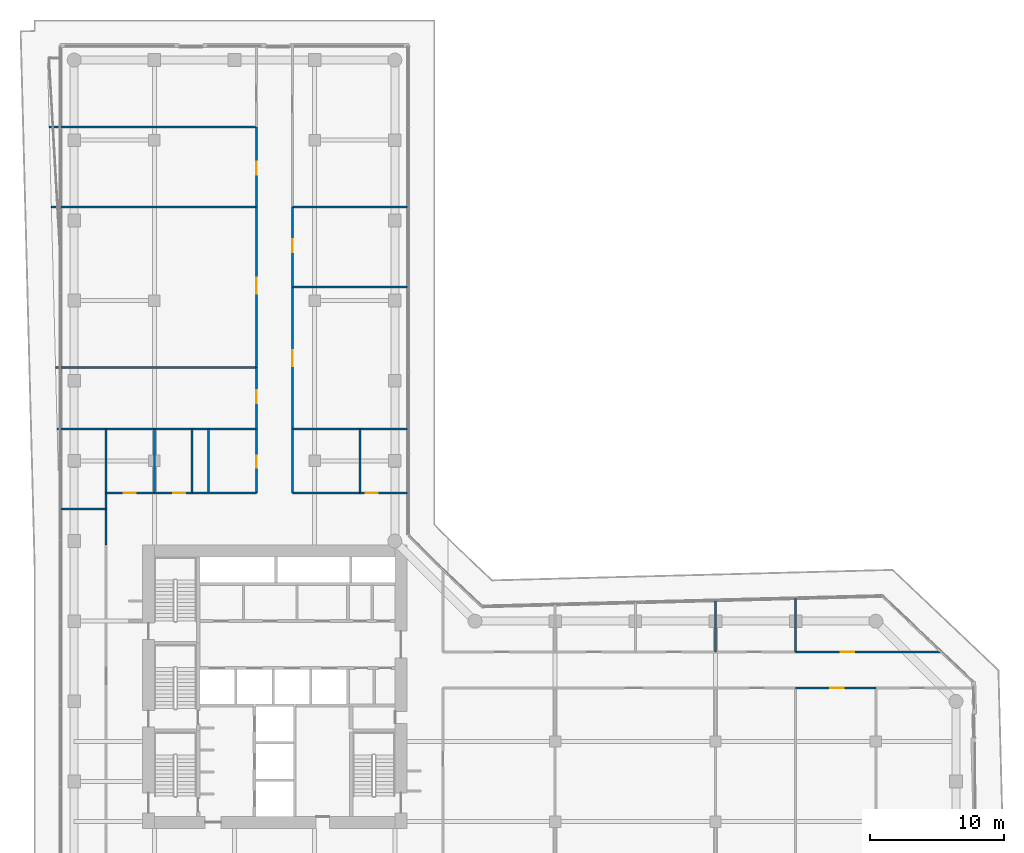
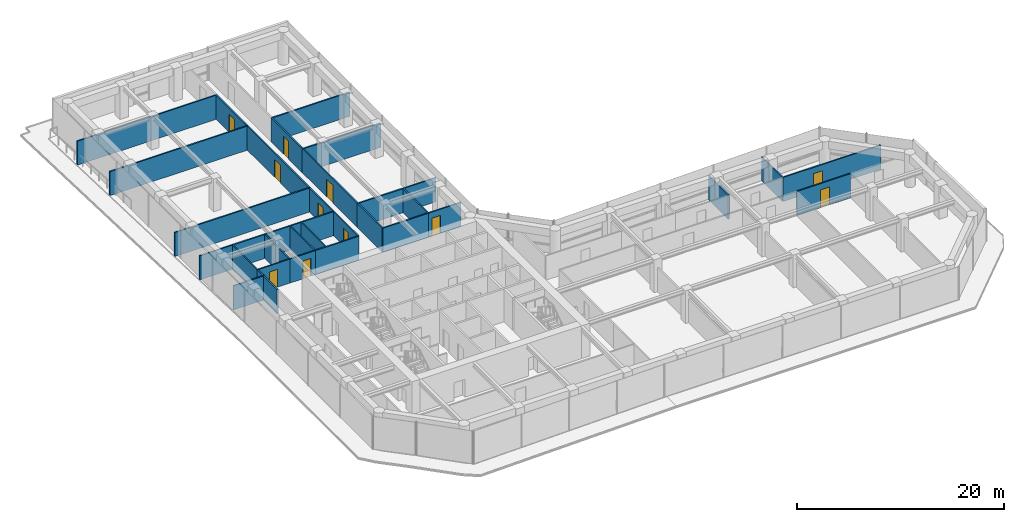
# One storey, part 25 of 29: 30 walls, 11 doors, 11 openings.
"""IFC4 building model written with IfcOpenShell, lengths in metres."""

from ifc_helpers import new_model, si_unit, direction, frame, frame_2d, origin, place, context, subcontext, project, spatial, rectangle, extrude, material, layer, layer_set, type_object, element, fill, save


model = new_model("IFC4")

# Units and contexts
model_context = context("Model", 3, precision=1e-05, world=origin(), true_north=direction((0.0, 1.0)))
body_context = subcontext(model_context, "Body", "Model", "MODEL_VIEW")
ifc_project = project(units=[si_unit("LENGTHUNIT", "METRE"), si_unit("AREAUNIT", "SQUARE_METRE"), si_unit("VOLUMEUNIT", "CUBIC_METRE"), si_unit("PLANEANGLEUNIT", "RADIAN"), si_unit("MASSUNIT", "GRAM", prefix="KILO")], contexts=[model_context])

# Site, building, storey
site_placement = place(None, origin())
site = spatial("IfcSite", under=ifc_project, at=site_placement, CompositionType="ELEMENT")
building_placement = place(site_placement, origin())
building = spatial("IfcBuilding", under=site, at=building_placement, Name="Welwitschia Terrace Campus", CompositionType="ELEMENT")
storey_placement = place(building_placement, frame((0.0, 0.0, 58.39990234375)))
storey = spatial("IfcBuildingStorey", under=building, at=storey_placement, Name="L13", CompositionType="ELEMENT", Elevation=58.39990234375)

# Walls
ifc_material_1 = material(Name="Gypsum board on steel studs", Category="steel")
ifc_layer = layer(ifc_material_1, 0.14990234375)
ifc_layer_set = layer_set([ifc_layer], Name="Gypsum board on steel studs")
wall_type = type_object("IfcWallType", Name="Corridor partition 150 EI 30", PredefinedType="PARTITIONING", material=ifc_layer_set)
wall_1_placement = place(storey_placement, frame((-1.8701171875, 57.0, 0.0), z_axis=(0.0, 0.0, 1.0), x_axis=(1.0, 0.0, 0.0)))
element("IfcWall", 1, at=wall_1_placement, inside=storey, type_object=wall_type, Name="Partition", PredefinedType="PARTITIONING", context=body_context, shape_type="SweptSolid", body=[
    extrude(rectangle(XDim=15.52001953125, YDim=0.14990234375, at=frame_2d((7.760009765625, 0.0))), origin(), (0.0, 0.0, 1.0), 2.830078125),
])
wall_2_placement = place(storey_placement, frame((-1.719970703125, 51.0, 0.0), z_axis=(0.0, 0.0, 1.0), x_axis=(1.0, 0.0, 0.0)))
element("IfcWall", 2, at=wall_2_placement, inside=storey, type_object=wall_type, Name="Partition", PredefinedType="PARTITIONING", context=body_context, shape_type="SweptSolid", body=[
    extrude(rectangle(XDim=15.369873046875, YDim=0.14990234375, at=frame_2d((7.68505859375, 0.0))), origin(), (0.0, 0.0, 1.0), 2.830078125),
])
wall_3_placement = place(storey_placement, frame((-1.39990234375, 39.0, 0.0), z_axis=(0.0, 0.0, 1.0), x_axis=(1.0, 0.0, 0.0)))
element("IfcWall", 3, at=wall_3_placement, inside=storey, type_object=wall_type, Name="Partition", PredefinedType="PARTITIONING", context=body_context, shape_type="SweptSolid", body=[
    extrude(rectangle(XDim=15.0498046875, YDim=0.14990234375, at=frame_2d((7.52490234375, 0.0))), origin(), (0.0, 0.0, 1.0), 2.830078125),
])
wall_4_placement = place(storey_placement, frame((-1.280029296875, 34.39990234375, 0.0), z_axis=(0.0, 0.0, 1.0), x_axis=(1.0, 0.0, 0.0)))
element("IfcWall", 4, at=wall_4_placement, inside=storey, type_object=wall_type, Name="Partition", PredefinedType="PARTITIONING", context=body_context, shape_type="SweptSolid", body=[
    extrude(rectangle(XDim=14.929931640625, YDim=0.14990234375, at=frame_2d((7.46484375, 0.0))), origin(), (0.0, 0.0, 1.0), 2.830078125),
])
wall_5_placement = place(storey_placement, frame((-0.998046875, 28.39990234375, 0.0), z_axis=(0.0, 0.0, 1.0), x_axis=(1.0, 0.0, 0.0)))
element("IfcWall", 5, at=wall_5_placement, inside=storey, type_object=wall_type, Name="Partition", PredefinedType="PARTITIONING", context=body_context, shape_type="SweptSolid", body=[
    extrude(rectangle(XDim=3.39794921875, YDim=0.14990234375, at=frame_2d((1.698974609375, 0.0))), origin(), (0.0, 0.0, 1.0), 2.830078125),
])
wall_6_placement = place(storey_placement, frame((2.39990234375, 25.699951171875, 0.0), z_axis=(0.0, 0.0, 1.0), x_axis=(0.0, 1.0, 0.0)))
element("IfcWall", 6, at=wall_6_placement, inside=storey, type_object=wall_type, Name="Partition", PredefinedType="PARTITIONING", context=body_context, shape_type="SweptSolid", body=[
    extrude(rectangle(XDim=3.900146484375, YDim=0.14990234375, at=frame_2d((1.9501953125, 0.0))), origin(), (0.0, 0.0, 1.0), 2.830078125),
])
wall_7_placement = place(storey_placement, frame((2.39990234375, 29.60009765625, 0.0), z_axis=(0.0, 0.0, 1.0), x_axis=(0.0, 1.0, 0.0)))
element("IfcWall", 7, at=wall_7_placement, inside=storey, type_object=wall_type, Name="Partition", PredefinedType="PARTITIONING", context=body_context, shape_type="SweptSolid", body=[
    extrude(rectangle(XDim=4.7998046875, YDim=0.14990234375, at=frame_2d((2.39990234375, 0.0))), origin(), (0.0, 0.0, 1.0), 2.830078125),
])

# Wall, opening, door
wall_8_placement = place(storey_placement, frame((2.39990234375, 29.60009765625, 0.0), z_axis=(0.0, 0.0, 1.0), x_axis=(1.0, 0.0, 0.0)))
wall_8 = element("IfcWall", 8, at=wall_8_placement, inside=storey, type_object=wall_type, Name="Partition", PredefinedType="PARTITIONING", context=body_context, shape_type="SweptSolid", body=[
    extrude(rectangle(XDim=3.60009765625, YDim=0.14990234375, at=frame_2d((1.800048828125, 0.0))), origin(), (0.0, 0.0, 1.0), 2.830078125),
])
opening_1_placement = place(wall_8_placement, frame((1.300048828125, 0.0, 0.0)))
opening_1 = element("IfcOpeningElement", 9, at=opening_1_placement, cuts=wall_8, Name="Opening DI09", PredefinedType="OPENING", context=body_context, shape_type="SweptSolid", body=[
    extrude(rectangle(XDim=0.89990234375, YDim=2.10009765625, at=frame_2d((0.449951171875, 1.050048828125))), frame((0.0, 0.0849609375, 0.0), z_axis=(0.0, -1.0, 0.0), x_axis=(1.0, 0.0, 0.0)), (0.0, 0.0, 1.0), 0.169921875),
])
ifc_material_2 = material(Name="Timber veneered door", Category="wood")
door_type_1 = type_object("IfcDoorType", Name="Interior door DI09", OperationType="NOTDEFINED", PredefinedType="DOOR", material=ifc_material_2)
door_1_placement = place(opening_1_placement, origin())
door_1 = element("IfcDoor", 10, at=door_1_placement, inside=storey, type_object=door_type_1, Name="Door L13 291", OperationType="SINGLE_SWING_RIGHT", OverallHeight=2.10009765625, OverallWidth=0.89990234375, PredefinedType="DOOR", context=body_context, shape_type="SweptSolid", body=[
    extrude(rectangle(XDim=0.89990234375, YDim=2.10009765625, at=frame_2d((0.449951171875, 1.050048828125))), frame((0.0, 0.02490234375, 0.0), z_axis=(0.0, -1.0, 0.0), x_axis=(1.0, 0.0, 0.0)), (0.0, 0.0, 1.0), 0.050048828125),
])
fill(opening_1, door_1)

# Wall
wall_9_placement = place(storey_placement, frame((6.0, 29.60009765625, 0.0), z_axis=(0.0, 0.0, 1.0), x_axis=(0.0, 1.0, 0.0)))
element("IfcWall", 11, at=wall_9_placement, inside=storey, type_object=wall_type, Name="Partition", PredefinedType="PARTITIONING", context=body_context, shape_type="SweptSolid", body=[
    extrude(rectangle(XDim=4.7998046875, YDim=0.14990234375, at=frame_2d((2.39990234375, 0.0))), origin(), (0.0, 0.0, 1.0), 2.830078125),
])

# Wall, opening, door
wall_10_placement = place(storey_placement, frame((6.0, 29.60009765625, 0.0), z_axis=(0.0, 0.0, 1.0), x_axis=(1.0, 0.0, 0.0)))
wall_10 = element("IfcWall", 12, at=wall_10_placement, inside=storey, type_object=wall_type, Name="Partition", PredefinedType="PARTITIONING", context=body_context, shape_type="SweptSolid", body=[
    extrude(rectangle(XDim=2.800048828125, YDim=0.14990234375, at=frame_2d((1.39990234375, 0.0))), origin(), (0.0, 0.0, 1.0), 2.830078125),
])
opening_2_placement = place(wall_10_placement, frame((1.39990234375, 0.0, 0.0)))
opening_2 = element("IfcOpeningElement", 13, at=opening_2_placement, cuts=wall_10, Name="Opening DI09", PredefinedType="OPENING", context=body_context, shape_type="SweptSolid", body=[
    extrude(rectangle(XDim=0.89990234375, YDim=2.10009765625, at=frame_2d((0.449951171875, 1.050048828125))), frame((0.0, 0.0849609375, 0.0), z_axis=(0.0, -1.0, 0.0), x_axis=(1.0, 0.0, 0.0)), (0.0, 0.0, 1.0), 0.169921875),
])
door_2_placement = place(opening_2_placement, origin())
door_2 = element("IfcDoor", 14, at=door_2_placement, inside=storey, type_object=door_type_1, Name="Door L13 292", OperationType="SINGLE_SWING_LEFT", OverallHeight=2.10009765625, OverallWidth=0.89990234375, PredefinedType="DOOR", context=body_context, shape_type="SweptSolid", body=[
    extrude(rectangle(XDim=0.89990234375, YDim=2.10009765625, at=frame_2d((0.449951171875, 1.050048828125))), frame((0.0, 0.02490234375, 0.0), z_axis=(0.0, -1.0, 0.0), x_axis=(1.0, 0.0, 0.0)), (0.0, 0.0, 1.0), 0.050048828125),
])
fill(opening_2, door_2)

# Walls
wall_11_placement = place(storey_placement, frame((8.800048828125, 29.60009765625, 0.0), z_axis=(0.0, 0.0, 1.0), x_axis=(0.0, 1.0, 0.0)))
element("IfcWall", 15, at=wall_11_placement, inside=storey, type_object=wall_type, Name="Partition", PredefinedType="PARTITIONING", context=body_context, shape_type="SweptSolid", body=[
    extrude(rectangle(XDim=4.7998046875, YDim=0.14990234375, at=frame_2d((2.39990234375, 0.0))), origin(), (0.0, 0.0, 1.0), 2.830078125),
])
wall_12_placement = place(storey_placement, frame((8.800048828125, 29.60009765625, 0.0), z_axis=(0.0, 0.0, 1.0), x_axis=(1.0, 0.0, 0.0)))
element("IfcWall", 16, at=wall_12_placement, inside=storey, type_object=wall_type, Name="Partition", PredefinedType="PARTITIONING", context=body_context, shape_type="SweptSolid", body=[
    extrude(rectangle(XDim=4.849853515625, YDim=0.14990234375, at=frame_2d((2.4248046875, 0.0))), origin(), (0.0, 0.0, 1.0), 2.830078125),
])
wall_13_placement = place(storey_placement, frame((10.050048828125, 29.60009765625, 0.0), z_axis=(0.0, 0.0, 1.0), x_axis=(0.0, 1.0, 0.0)))
element("IfcWall", 17, at=wall_13_placement, inside=storey, type_object=wall_type, Name="Partition", PredefinedType="PARTITIONING", context=body_context, shape_type="SweptSolid", body=[
    extrude(rectangle(XDim=4.7998046875, YDim=0.14990234375, at=frame_2d((2.39990234375, 0.0))), origin(), (0.0, 0.0, 1.0), 2.830078125),
])

# Wall, opening, door
wall_14_placement = place(storey_placement, frame((13.64990234375, 29.60009765625, 0.0), z_axis=(0.0, 0.0, 1.0), x_axis=(0.0, 1.0, 0.0)))
wall_14 = element("IfcWall", 18, at=wall_14_placement, inside=storey, type_object=wall_type, Name="Partition", PredefinedType="PARTITIONING", context=body_context, shape_type="SweptSolid", body=[
    extrude(rectangle(XDim=4.7998046875, YDim=0.14990234375, at=frame_2d((2.39990234375, 0.0))), origin(), (0.0, 0.0, 1.0), 2.830078125),
])
opening_3_placement = place(wall_14_placement, frame((1.89990234375, 0.0, 0.0)))
opening_3 = element("IfcOpeningElement", 19, at=opening_3_placement, cuts=wall_14, Name="Opening DI09", PredefinedType="OPENING", context=body_context, shape_type="SweptSolid", body=[
    extrude(rectangle(XDim=0.89990234375, YDim=2.10009765625, at=frame_2d((0.449951171875, 1.050048828125))), frame((0.0, 0.0849609375, 0.0), z_axis=(0.0, -1.0, 0.0), x_axis=(1.0, 0.0, 0.0)), (0.0, 0.0, 1.0), 0.169921875),
])
door_3_placement = place(opening_3_placement, origin())
door_3 = element("IfcDoor", 20, at=door_3_placement, inside=storey, type_object=door_type_1, Name="Door L13 293", OperationType="SINGLE_SWING_RIGHT", OverallHeight=2.10009765625, OverallWidth=0.89990234375, PredefinedType="DOOR", context=body_context, shape_type="SweptSolid", body=[
    extrude(rectangle(XDim=0.89990234375, YDim=2.10009765625, at=frame_2d((0.449951171875, 1.050048828125))), frame((0.0, 0.02490234375, 0.0), z_axis=(0.0, -1.0, 0.0), x_axis=(1.0, 0.0, 0.0)), (0.0, 0.0, 1.0), 0.050048828125),
])
fill(opening_3, door_3)

wall_15_placement = place(storey_placement, frame((13.64990234375, 34.39990234375, 0.0), z_axis=(0.0, 0.0, 1.0), x_axis=(0.0, 1.0, 0.0)))
wall_15 = element("IfcWall", 21, at=wall_15_placement, inside=storey, type_object=wall_type, Name="Partition", PredefinedType="PARTITIONING", context=body_context, shape_type="SweptSolid", body=[
    extrude(rectangle(XDim=4.60009765625, YDim=0.14990234375, at=frame_2d((2.300048828125, 0.0))), origin(), (0.0, 0.0, 1.0), 2.830078125),
])
opening_4_placement = place(wall_15_placement, frame((1.89990234375, 0.0, 0.0)))
opening_4 = element("IfcOpeningElement", 22, at=opening_4_placement, cuts=wall_15, Name="Opening DI10", PredefinedType="OPENING", context=body_context, shape_type="SweptSolid", body=[
    extrude(rectangle(XDim=1.0, YDim=2.10009765625, at=frame_2d((0.5, 1.050048828125))), frame((0.0, 0.0849609375, 0.0), z_axis=(0.0, -1.0, 0.0), x_axis=(1.0, 0.0, 0.0)), (0.0, 0.0, 1.0), 0.169921875),
])
ifc_material_3 = material(Name="Timber veneered door", Category="wood")
door_type_2 = type_object("IfcDoorType", Name="Interior door DI10", OperationType="NOTDEFINED", PredefinedType="DOOR", material=ifc_material_3)
door_4_placement = place(opening_4_placement, origin())
door_4 = element("IfcDoor", 23, at=door_4_placement, inside=storey, type_object=door_type_2, Name="Door L13 294", OperationType="SINGLE_SWING_LEFT", OverallHeight=2.10009765625, OverallWidth=1.0, PredefinedType="DOOR", context=body_context, shape_type="SweptSolid", body=[
    extrude(rectangle(XDim=1.0, YDim=2.10009765625, at=frame_2d((0.5, 1.050048828125))), frame((0.0, 0.02490234375, 0.0), z_axis=(0.0, -1.0, 0.0), x_axis=(1.0, 0.0, 0.0)), (0.0, 0.0, 1.0), 0.050048828125),
])
fill(opening_4, door_4)

wall_16_placement = place(storey_placement, frame((13.64990234375, 39.0, 0.0), z_axis=(0.0, 0.0, 1.0), x_axis=(0.0, 1.0, 0.0)))
wall_16 = element("IfcWall", 24, at=wall_16_placement, inside=storey, type_object=wall_type, Name="Partition", PredefinedType="PARTITIONING", context=body_context, shape_type="SweptSolid", body=[
    extrude(rectangle(XDim=12.0, YDim=0.14990234375, at=frame_2d((6.0, 0.0))), origin(), (0.0, 0.0, 1.0), 2.830078125),
])
opening_5_placement = place(wall_16_placement, frame((5.5, 0.0, 0.0)))
opening_5 = element("IfcOpeningElement", 25, at=opening_5_placement, cuts=wall_16, Name="Opening DI12", PredefinedType="OPENING", context=body_context, shape_type="SweptSolid", body=[
    extrude(rectangle(XDim=1.199951171875, YDim=2.10009765625, at=frame_2d((0.60009765625, 1.050048828125))), frame((0.0, 0.0849609375, 0.0), z_axis=(0.0, -1.0, 0.0), x_axis=(1.0, 0.0, 0.0)), (0.0, 0.0, 1.0), 0.169921875),
])
ifc_material_4 = material(Name="Timber veneered door", Category="wood")
door_type_3 = type_object("IfcDoorType", Name="Interior door DI12", OperationType="NOTDEFINED", PredefinedType="DOOR", material=ifc_material_4)
door_5_placement = place(opening_5_placement, origin())
door_5 = element("IfcDoor", 26, at=door_5_placement, inside=storey, type_object=door_type_3, Name="Door L13 295", OperationType="SINGLE_SWING_RIGHT", OverallHeight=2.10009765625, OverallWidth=1.199951171875, PredefinedType="DOOR", context=body_context, shape_type="SweptSolid", body=[
    extrude(rectangle(XDim=1.199951171875, YDim=2.10009765625, at=frame_2d((0.60009765625, 1.050048828125))), frame((0.0, 0.02490234375, 0.0), z_axis=(0.0, -1.0, 0.0), x_axis=(1.0, 0.0, 0.0)), (0.0, 0.0, 1.0), 0.050048828125),
])
fill(opening_5, door_5)

wall_17_placement = place(storey_placement, frame((13.64990234375, 51.0, 0.0), z_axis=(0.0, 0.0, 1.0), x_axis=(0.0, 1.0, 0.0)))
wall_17 = element("IfcWall", 27, at=wall_17_placement, inside=storey, type_object=wall_type, Name="Partition", PredefinedType="PARTITIONING", context=body_context, shape_type="SweptSolid", body=[
    extrude(rectangle(XDim=6.0, YDim=0.14990234375, at=frame_2d((3.0, 0.0))), origin(), (0.0, 0.0, 1.0), 2.830078125),
])
opening_6_placement = place(wall_17_placement, frame((2.39990234375, 0.0, 0.0)))
opening_6 = element("IfcOpeningElement", 28, at=opening_6_placement, cuts=wall_17, Name="Opening DI10", PredefinedType="OPENING", context=body_context, shape_type="SweptSolid", body=[
    extrude(rectangle(XDim=1.0, YDim=2.10009765625, at=frame_2d((0.5, 1.050048828125))), frame((0.0, 0.0849609375, 0.0), z_axis=(0.0, -1.0, 0.0), x_axis=(1.0, 0.0, 0.0)), (0.0, 0.0, 1.0), 0.169921875),
])
door_6_placement = place(opening_6_placement, origin())
door_6 = element("IfcDoor", 29, at=door_6_placement, inside=storey, type_object=door_type_2, Name="Door L13 296", OperationType="SINGLE_SWING_LEFT", OverallHeight=2.10009765625, OverallWidth=1.0, PredefinedType="DOOR", context=body_context, shape_type="SweptSolid", body=[
    extrude(rectangle(XDim=1.0, YDim=2.10009765625, at=frame_2d((0.5, 1.050048828125))), frame((0.0, 0.02490234375, 0.0), z_axis=(0.0, -1.0, 0.0), x_axis=(1.0, 0.0, 0.0)), (0.0, 0.0, 1.0), 0.050048828125),
])
fill(opening_6, door_6)

# Walls
wall_18_placement = place(storey_placement, frame((16.35009765625, 29.60009765625, 0.0), z_axis=(0.0, 0.0, 1.0), x_axis=(0.0, 1.0, 0.0)))
element("IfcWall", 30, at=wall_18_placement, inside=storey, type_object=wall_type, Name="Partition", PredefinedType="PARTITIONING", context=body_context, shape_type="SweptSolid", body=[
    extrude(rectangle(XDim=4.7998046875, YDim=0.14990234375, at=frame_2d((2.39990234375, 0.0))), origin(), (0.0, 0.0, 1.0), 2.830078125),
])
wall_19_placement = place(storey_placement, frame((16.35009765625, 29.60009765625, 0.0), z_axis=(0.0, 0.0, 1.0), x_axis=(1.0, 0.0, 0.0)))
element("IfcWall", 31, at=wall_19_placement, inside=storey, type_object=wall_type, Name="Partition", PredefinedType="PARTITIONING", context=body_context, shape_type="SweptSolid", body=[
    extrude(rectangle(XDim=5.059814453125, YDim=0.14990234375, at=frame_2d((2.52978515625, 0.0))), origin(), (0.0, 0.0, 1.0), 2.830078125),
])
wall_20_placement = place(storey_placement, frame((16.35009765625, 34.39990234375, 0.0), z_axis=(0.0, 0.0, 1.0), x_axis=(1.0, 0.0, 0.0)))
element("IfcWall", 32, at=wall_20_placement, inside=storey, type_object=wall_type, Name="Partition", PredefinedType="PARTITIONING", context=body_context, shape_type="SweptSolid", body=[
    extrude(rectangle(XDim=8.659912109375, YDim=0.14990234375, at=frame_2d((4.330078125, 0.0))), origin(), (0.0, 0.0, 1.0), 2.830078125),
])

# Wall, opening, door
wall_21_placement = place(storey_placement, frame((16.35009765625, 45.0, 0.0), z_axis=(0.0, 0.0, 1.0), x_axis=(0.0, -1.0, 0.0)))
wall_21 = element("IfcWall", 33, at=wall_21_placement, inside=storey, type_object=wall_type, Name="Partition", PredefinedType="PARTITIONING", context=body_context, shape_type="SweptSolid", body=[
    extrude(rectangle(XDim=10.60009765625, YDim=0.14990234375, at=frame_2d((5.300048828125, 0.0))), origin(), (0.0, 0.0, 1.0), 2.830078125),
])
opening_7_placement = place(wall_21_placement, frame((4.699951171875, 0.0, 0.0)))
opening_7 = element("IfcOpeningElement", 34, at=opening_7_placement, cuts=wall_21, Name="Opening DI12", PredefinedType="OPENING", context=body_context, shape_type="SweptSolid", body=[
    extrude(rectangle(XDim=1.199951171875, YDim=2.10009765625, at=frame_2d((0.60009765625, 1.050048828125))), frame((0.0, 0.0849609375, 0.0), z_axis=(0.0, -1.0, 0.0), x_axis=(1.0, 0.0, 0.0)), (0.0, 0.0, 1.0), 0.169921875),
])
door_7_placement = place(opening_7_placement, origin())
door_7 = element("IfcDoor", 35, at=door_7_placement, inside=storey, type_object=door_type_3, Name="Door L13 298", OperationType="SINGLE_SWING_LEFT", OverallHeight=2.10009765625, OverallWidth=1.199951171875, PredefinedType="DOOR", context=body_context, shape_type="SweptSolid", body=[
    extrude(rectangle(XDim=1.199951171875, YDim=2.10009765625, at=frame_2d((0.60009765625, 1.050048828125))), frame((0.0, 0.02490234375, 0.0), z_axis=(0.0, -1.0, 0.0), x_axis=(1.0, 0.0, 0.0)), (0.0, 0.0, 1.0), 0.050048828125),
])
fill(opening_7, door_7)

# Wall
wall_22_placement = place(storey_placement, frame((16.35009765625, 45.0, 0.0), z_axis=(0.0, 0.0, 1.0), x_axis=(1.0, 0.0, 0.0)))
element("IfcWall", 36, at=wall_22_placement, inside=storey, type_object=wall_type, Name="Partition", PredefinedType="PARTITIONING", context=body_context, shape_type="SweptSolid", body=[
    extrude(rectangle(XDim=8.659912109375, YDim=0.14990234375, at=frame_2d((4.330078125, 0.0))), origin(), (0.0, 0.0, 1.0), 2.830078125),
])

# Wall, opening, door
wall_23_placement = place(storey_placement, frame((16.35009765625, 51.0, 0.0), z_axis=(0.0, 0.0, 1.0), x_axis=(0.0, -1.0, 0.0)))
wall_23 = element("IfcWall", 37, at=wall_23_placement, inside=storey, type_object=wall_type, Name="Partition", PredefinedType="PARTITIONING", context=body_context, shape_type="SweptSolid", body=[
    extrude(rectangle(XDim=6.0, YDim=0.14990234375, at=frame_2d((3.0, 0.0))), origin(), (0.0, 0.0, 1.0), 2.830078125),
])
opening_8_placement = place(wall_23_placement, frame((2.39990234375, 0.0, 0.0)))
opening_8 = element("IfcOpeningElement", 38, at=opening_8_placement, cuts=wall_23, Name="Opening DI10", PredefinedType="OPENING", context=body_context, shape_type="SweptSolid", body=[
    extrude(rectangle(XDim=1.0, YDim=2.10009765625, at=frame_2d((0.5, 1.050048828125))), frame((0.0, 0.0849609375, 0.0), z_axis=(0.0, -1.0, 0.0), x_axis=(1.0, 0.0, 0.0)), (0.0, 0.0, 1.0), 0.169921875),
])
door_8_placement = place(opening_8_placement, origin())
door_8 = element("IfcDoor", 39, at=door_8_placement, inside=storey, type_object=door_type_2, Name="Door L13 299", OperationType="SINGLE_SWING_RIGHT", OverallHeight=2.10009765625, OverallWidth=1.0, PredefinedType="DOOR", context=body_context, shape_type="SweptSolid", body=[
    extrude(rectangle(XDim=1.0, YDim=2.10009765625, at=frame_2d((0.5, 1.050048828125))), frame((0.0, 0.02490234375, 0.0), z_axis=(0.0, -1.0, 0.0), x_axis=(1.0, 0.0, 0.0)), (0.0, 0.0, 1.0), 0.050048828125),
])
fill(opening_8, door_8)

# Walls
wall_24_placement = place(storey_placement, frame((16.35009765625, 51.0, 0.0), z_axis=(0.0, 0.0, 1.0), x_axis=(1.0, 0.0, 0.0)))
element("IfcWall", 40, at=wall_24_placement, inside=storey, type_object=wall_type, Name="Partition", PredefinedType="PARTITIONING", context=body_context, shape_type="SweptSolid", body=[
    extrude(rectangle(XDim=8.659912109375, YDim=0.14990234375, at=frame_2d((4.330078125, 0.0))), origin(), (0.0, 0.0, 1.0), 2.830078125),
])
wall_25_placement = place(storey_placement, frame((21.409912109375, 29.60009765625, 0.0), z_axis=(0.0, 0.0, 1.0), x_axis=(0.0, 1.0, 0.0)))
element("IfcWall", 41, at=wall_25_placement, inside=storey, type_object=wall_type, Name="Partition", PredefinedType="PARTITIONING", context=body_context, shape_type="SweptSolid", body=[
    extrude(rectangle(XDim=4.7998046875, YDim=0.14990234375, at=frame_2d((2.39990234375, 0.0))), origin(), (0.0, 0.0, 1.0), 2.830078125),
])

# Wall, opening, door
wall_26_placement = place(storey_placement, frame((21.409912109375, 29.60009765625, 0.0), z_axis=(0.0, 0.0, 1.0), x_axis=(1.0, 0.0, 0.0)))
wall_26 = element("IfcWall", 42, at=wall_26_placement, inside=storey, type_object=wall_type, Name="Partition", PredefinedType="PARTITIONING", context=body_context, shape_type="SweptSolid", body=[
    extrude(rectangle(XDim=3.60009765625, YDim=0.14990234375, at=frame_2d((1.800048828125, 0.0))), origin(), (0.0, 0.0, 1.0), 2.830078125),
])
opening_9_placement = place(wall_26_placement, frame((0.39990234375, 0.0, 0.0)))
opening_9 = element("IfcOpeningElement", 43, at=opening_9_placement, cuts=wall_26, Name="Opening DI09", PredefinedType="OPENING", context=body_context, shape_type="SweptSolid", body=[
    extrude(rectangle(XDim=0.89990234375, YDim=2.10009765625, at=frame_2d((0.449951171875, 1.050048828125))), frame((0.0, 0.0849609375, 0.0), z_axis=(0.0, -1.0, 0.0), x_axis=(1.0, 0.0, 0.0)), (0.0, 0.0, 1.0), 0.169921875),
])
door_9_placement = place(opening_9_placement, origin())
door_9 = element("IfcDoor", 44, at=door_9_placement, inside=storey, type_object=door_type_1, Name="Door L13 301", OperationType="SINGLE_SWING_RIGHT", OverallHeight=2.10009765625, OverallWidth=0.89990234375, PredefinedType="DOOR", context=body_context, shape_type="SweptSolid", body=[
    extrude(rectangle(XDim=0.89990234375, YDim=2.10009765625, at=frame_2d((0.449951171875, 1.050048828125))), frame((0.0, 0.02490234375, 0.0), z_axis=(0.0, -1.0, 0.0), x_axis=(1.0, 0.0, 0.0)), (0.0, 0.0, 1.0), 0.050048828125),
])
fill(opening_9, door_9)

# Walls
wall_27_placement = place(storey_placement, frame((48.0, 17.699951171875, 0.0), z_axis=(0.0, 0.0, 1.0), x_axis=(0.0, 1.0, 0.0)))
element("IfcWall", 45, at=wall_27_placement, inside=storey, type_object=wall_type, Name="Partition", PredefinedType="PARTITIONING", context=body_context, shape_type="SweptSolid", body=[
    extrude(rectangle(XDim=3.85009765625, YDim=0.14990234375, at=frame_2d((1.925048828125, 0.0))), origin(), (0.0, 0.0, 1.0), 2.830078125),
])
wall_28_placement = place(storey_placement, frame((54.0, 17.699951171875, 0.0), z_axis=(0.0, 0.0, 1.0), x_axis=(0.0, 1.0, 0.0)))
element("IfcWall", 46, at=wall_28_placement, inside=storey, type_object=wall_type, Name="Partition", PredefinedType="PARTITIONING", context=body_context, shape_type="SweptSolid", body=[
    extrude(rectangle(XDim=4.010009765625, YDim=0.14990234375, at=frame_2d((2.0048828125, 0.0))), origin(), (0.0, 0.0, 1.0), 2.830078125),
])

# Wall, opening, door
wall_29_placement = place(storey_placement, frame((54.0, 17.699951171875, 0.0), z_axis=(0.0, 0.0, 1.0), x_axis=(1.0, 0.0, 0.0)))
wall_29 = element("IfcWall", 47, at=wall_29_placement, inside=storey, type_object=wall_type, Name="Partition", PredefinedType="PARTITIONING", context=body_context, shape_type="SweptSolid", body=[
    extrude(rectangle(XDim=10.889892578125, YDim=0.14990234375, at=frame_2d((5.44482421875, 0.0))), origin(), (0.0, 0.0, 1.0), 2.830078125),
])
opening_10_placement = place(wall_29_placement, frame((3.389892578125, 0.0, 0.0)))
opening_10 = element("IfcOpeningElement", 48, at=opening_10_placement, cuts=wall_29, Name="Opening DI10", PredefinedType="OPENING", context=body_context, shape_type="SweptSolid", body=[
    extrude(rectangle(XDim=1.0, YDim=2.10009765625, at=frame_2d((0.5, 1.050048828125))), frame((0.0, 0.0849609375, 0.0), z_axis=(0.0, -1.0, 0.0), x_axis=(1.0, 0.0, 0.0)), (0.0, 0.0, 1.0), 0.169921875),
])
door_10_placement = place(opening_10_placement, origin())
door_10 = element("IfcDoor", 49, at=door_10_placement, inside=storey, type_object=door_type_2, Name="Door L13 310", OperationType="SINGLE_SWING_LEFT", OverallHeight=2.10009765625, OverallWidth=1.0, PredefinedType="DOOR", context=body_context, shape_type="SweptSolid", body=[
    extrude(rectangle(XDim=1.0, YDim=2.10009765625, at=frame_2d((0.5, 1.050048828125))), frame((0.0, 0.02490234375, 0.0), z_axis=(0.0, -1.0, 0.0), x_axis=(1.0, 0.0, 0.0)), (0.0, 0.0, 1.0), 0.050048828125),
])
fill(opening_10, door_10)

wall_30_placement = place(storey_placement, frame((60.0, 15.0, 0.0), z_axis=(0.0, 0.0, 1.0), x_axis=(-1.0, 0.0, 0.0)))
wall_30 = element("IfcWall", 50, at=wall_30_placement, inside=storey, type_object=wall_type, Name="Partition", PredefinedType="PARTITIONING", context=body_context, shape_type="SweptSolid", body=[
    extrude(rectangle(XDim=6.0, YDim=0.14990234375, at=frame_2d((3.0, 0.0))), origin(), (0.0, 0.0, 1.0), 2.830078125),
])
opening_11_placement = place(wall_30_placement, frame((2.39990234375, 0.0, 0.0)))
opening_11 = element("IfcOpeningElement", 51, at=opening_11_placement, cuts=wall_30, Name="Opening DI10", PredefinedType="OPENING", context=body_context, shape_type="SweptSolid", body=[
    extrude(rectangle(XDim=1.0, YDim=2.10009765625, at=frame_2d((0.5, 1.050048828125))), frame((0.0, 0.0849609375, 0.0), z_axis=(0.0, -1.0, 0.0), x_axis=(1.0, 0.0, 0.0)), (0.0, 0.0, 1.0), 0.169921875),
])
door_11_placement = place(opening_11_placement, origin())
door_11 = element("IfcDoor", 52, at=door_11_placement, inside=storey, type_object=door_type_2, Name="Door L13 311", OperationType="SINGLE_SWING_RIGHT", OverallHeight=2.10009765625, OverallWidth=1.0, PredefinedType="DOOR", context=body_context, shape_type="SweptSolid", body=[
    extrude(rectangle(XDim=1.0, YDim=2.10009765625, at=frame_2d((0.5, 1.050048828125))), frame((0.0, 0.02490234375, 0.0), z_axis=(0.0, -1.0, 0.0), x_axis=(1.0, 0.0, 0.0)), (0.0, 0.0, 1.0), 0.050048828125),
])
fill(opening_11, door_11)

save(model, "model.ifc")
